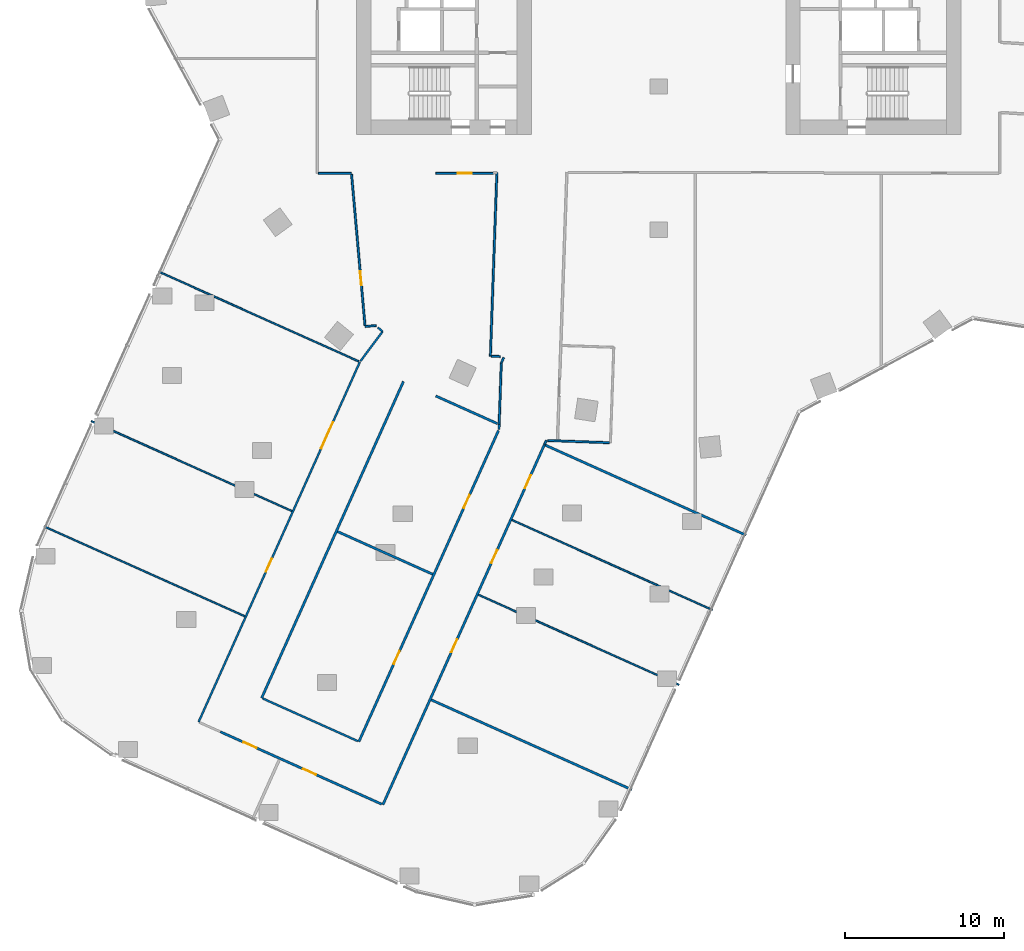
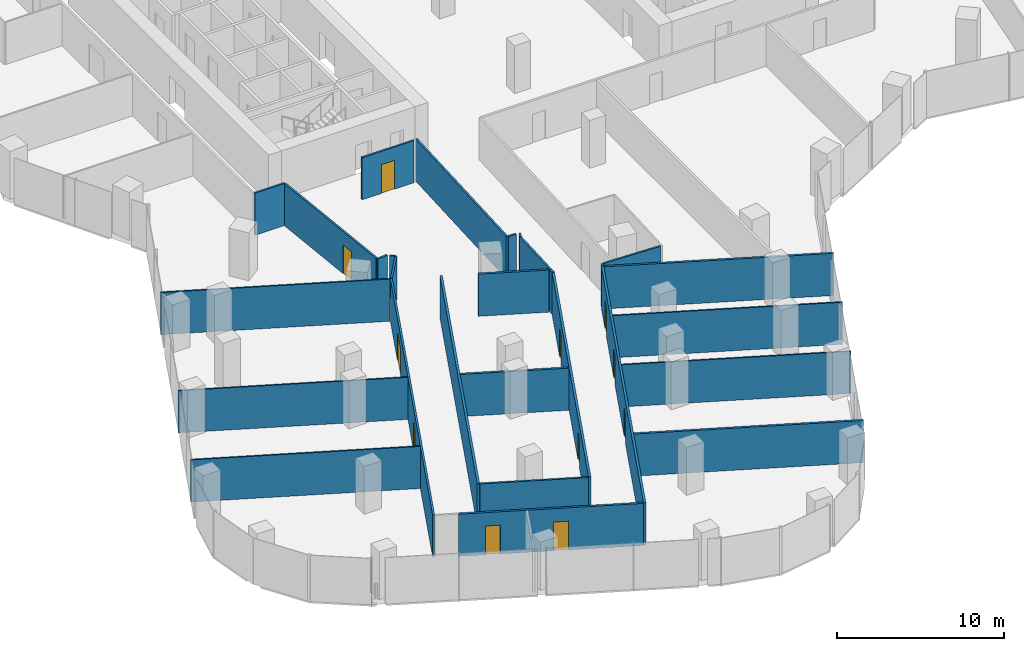
# One storey, part 25 of 34: 28 walls, 11 doors, 11 openings.
"""IFC4 building model written with IfcOpenShell, lengths in metres."""

from ifc_helpers import new_model, si_unit, direction, frame, frame_2d, origin, place, context, subcontext, project, spatial, rectangle, extrude, material, layer, layer_set, type_object, element, fill, save


model = new_model("IFC4")

# Units and contexts
model_context = context("Model", 3, precision=1e-05, world=origin(), true_north=direction((0.0, 1.0)))
body_context = subcontext(model_context, "Body", "Model", "MODEL_VIEW")
ifc_project = project(units=[si_unit("LENGTHUNIT", "METRE"), si_unit("AREAUNIT", "SQUARE_METRE"), si_unit("VOLUMEUNIT", "CUBIC_METRE"), si_unit("PLANEANGLEUNIT", "RADIAN"), si_unit("MASSUNIT", "GRAM", prefix="KILO")], contexts=[model_context])

# Site, building, storey
site_placement = place(None, origin())
site = spatial("IfcSite", under=ifc_project, at=site_placement, CompositionType="ELEMENT")
building_placement = place(site_placement, origin())
building = spatial("IfcBuilding", under=site, at=building_placement, Name="Orlundy Tower", CompositionType="ELEMENT")
storey_placement = place(building_placement, frame((0.0, 0.0, 127.199951171875)))
storey = spatial("IfcBuildingStorey", under=building, at=storey_placement, Name="L32", CompositionType="ELEMENT", Elevation=127.199951171875)

# Walls
ifc_material_1 = material(Name="Gypsum board partition")
ifc_layer_1 = layer(ifc_material_1, 0.10009765625)
ifc_layer_set_1 = layer_set([ifc_layer_1], Name="Floor partition 100")
wall_type_1 = type_object("IfcWallType", Name="Floor partition 100", PredefinedType="PARTITIONING", material=ifc_layer_set_1)
wall_1_placement = place(storey_placement, frame((-35.669921875, -30.029052734375, 0.0), z_axis=(0.0, 0.0, 1.0), x_axis=(0.912388382828, -0.409325590307, 0.0)))
element("IfcWall", 1, at=wall_1_placement, inside=storey, type_object=wall_type_1, Name="wall-int-L32-007", PredefinedType="PARTITIONING", context=body_context, shape_type="SweptSolid", body=[
    extrude(rectangle(XDim=13.827392578125, YDim=0.10009765625, at=frame_2d((6.91357421875, 0.0))), origin(), (0.0, 0.0, 1.0), 3.080078125),
])
for number, where, z_axis, x_axis, name in (
    (2, (-11.3330078125, -40.949951171875, 0.0), (0.0, 0.0, 1.0), (0.912391093054, -0.409319549149, 0.0), "wall-int-L32-009"),
    (3, (-9.222900390625, -36.248046875, 0.0), (0.0, 0.0, 1.0), (0.912391093054, -0.409319549149, 0.0), "wall-int-L32-010"),
):
    element("IfcWall", number, at=place(storey_placement, frame(where, z_axis=z_axis, x_axis=x_axis)), inside=storey, type_object=wall_type_1, Name=name, PredefinedType="PARTITIONING", context=body_context, shape_type="SweptSolid", body=[
        extrude(rectangle(XDim=13.8251953125, YDim=0.10009765625, at=frame_2d((6.91259765625, 0.0))), origin(), (0.0, 0.0, 1.0), 3.080078125),
    ])
wall_2_placement = place(storey_placement, frame((-31.449951171875, -20.625, 0.0), z_axis=(0.0, 0.0, 1.0), x_axis=(0.91235405171, -0.409402105916, 0.0)))
element("IfcWall", 4, at=wall_2_placement, inside=storey, type_object=wall_type_1, Name="wall-int-L32-011", PredefinedType="PARTITIONING", context=body_context, shape_type="SweptSolid", body=[
    extrude(rectangle(XDim=13.80810546875, YDim=0.10009765625, at=frame_2d((6.904052734375, 0.0))), origin(), (0.0, 0.0, 1.0), 3.080078125),
])
wall_3_placement = place(storey_placement, frame((-38.64111328125, -36.65087890625, 0.0), z_axis=(0.0, 0.0, 1.0), x_axis=(0.912605853038, -0.408840503132, 0.0)))
element("IfcWall", 5, at=wall_3_placement, inside=storey, type_object=wall_type_1, Name="wall-int-L32-015", PredefinedType="PARTITIONING", context=body_context, shape_type="SweptSolid", body=[
    extrude(rectangle(XDim=13.831787109375, YDim=0.10009765625, at=frame_2d((6.916015625, 0.0))), origin(), (0.0, 0.0, 1.0), 3.080078125),
])

# Wall, opening, door
ifc_material_2 = material(Name="Gypsum board partition, double layer")
ifc_layer_2 = layer(ifc_material_2, 0.125)
ifc_layer_set_2 = layer_set([ifc_layer_2], Name="Floor partition 125")
wall_type_2 = type_object("IfcWallType", Name="Floor partition 125", PredefinedType="PARTITIONING", material=ifc_layer_set_2)
wall_4_placement = place(storey_placement, frame((-18.4619140625, -24.02001953125, 0.0), z_axis=(0.0, 0.0, 1.0), x_axis=(-0.088655965606, 0.996062307169, 0.0)))
wall_4 = element("IfcWall", 6, at=wall_4_placement, inside=storey, type_object=wall_type_2, Name="wall-int-L32-001", PredefinedType="PARTITIONING", context=body_context, shape_type="SweptSolid", body=[
    extrude(rectangle(XDim=9.544677734375, YDim=0.125, at=frame_2d((4.7724609375, 0.0))), origin(), (0.0, 0.0, 1.0), 3.080078125),
])
opening_1_placement = place(wall_4_placement, frame((2.536376953125, 0.0, 0.0)))
opening_1 = element("IfcOpeningElement", 7, at=opening_1_placement, cuts=wall_4, Name="Opening 25121", PredefinedType="OPENING", context=body_context, shape_type="SweptSolid", body=[
    extrude(rectangle(XDim=0.89990234375, YDim=2.10009765625, at=frame_2d((0.449951171875, 1.050048828125))), frame((0.0, 0.072509765625, 0.0), z_axis=(0.0, -1.0, 0.0), x_axis=(1.0, 0.0, 0.0)), (0.0, 0.0, 1.0), 0.14501953125),
])
ifc_material_3 = material(Name="Timber door leaf", Category="wood")
door_type_1 = type_object("IfcDoorType", Name="Floor door single 900 FD30S", OperationType="NOTDEFINED", PredefinedType="DOOR", material=ifc_material_3)
door_1_placement = place(opening_1_placement, origin())
door_1 = element("IfcDoor", 8, at=door_1_placement, inside=storey, type_object=door_type_1, Name="Door 25121", OperationType="SINGLE_SWING_LEFT", OverallHeight=2.10009765625, OverallWidth=0.89990234375, PredefinedType="DOOR", context=body_context, shape_type="SweptSolid", body=[
    extrude(rectangle(XDim=0.89990234375, YDim=2.10009765625, at=frame_2d((0.449951171875, 1.050048828125))), frame((0.0, 0.02490234375, 0.0), z_axis=(0.0, -1.0, 0.0), x_axis=(1.0, 0.0, 0.0)), (0.0, 0.0, 1.0), 0.050048828125),
])
fill(opening_1, door_1)

# Walls
wall_5_placement = place(storey_placement, frame((-17.653076171875, -24.14892578125, 0.0), z_axis=(0.0, 0.0, 1.0), x_axis=(0.774889561174, -0.632096644496, 0.0)))
element("IfcWall", 9, at=wall_5_placement, inside=storey, type_object=wall_type_2, Name="wall-int-L32-003", PredefinedType="PARTITIONING", context=body_context, shape_type="SweptSolid", body=[
    extrude(rectangle(XDim=0.384765625, YDim=0.125, at=frame_2d((0.1923828125, 0.0))), origin(), (0.0, 0.0, 1.0), 3.080078125),
])
wall_6_placement = place(storey_placement, frame((-24.89208984375, -47.469970703125, 0.0), z_axis=(0.0, 0.0, 1.0), x_axis=(0.912446481469, -0.409196063588, 0.0)))
element("IfcWall", 10, at=wall_6_placement, inside=storey, type_object=wall_type_2, Name="wall-int-L32-006", PredefinedType="PARTITIONING", context=body_context, shape_type="SweptSolid", body=[
    extrude(rectangle(XDim=6.5517578125, YDim=0.125, at=frame_2d((3.27587890625, 0.0))), origin(), (0.0, 0.0, 1.0), 3.080078125),
])
wall_7_placement = place(storey_placement, frame((-6.968017578125, -31.2509765625, 0.0), z_axis=(0.0, 0.0, 1.0), x_axis=(0.99936470119, -0.035639781365, 0.0)))
element("IfcWall", 11, at=wall_7_placement, inside=storey, type_object=wall_type_2, Name="wall-int-L32-030", PredefinedType="PARTITIONING", context=body_context, shape_type="SweptSolid", body=[
    extrude(rectangle(XDim=3.870361328125, YDim=0.125, at=frame_2d((1.93505859375, 0.0))), origin(), (0.0, 0.0, 1.0), 3.080078125),
])
wall_8_placement = place(storey_placement, frame((-10.514892578125, -25.950927734375, 0.0), z_axis=(0.0, 0.0, 1.0), x_axis=(0.999387748514, -0.034987542363, 0.0)))
element("IfcWall", 12, at=wall_8_placement, inside=storey, type_object=wall_type_2, Name="wall-int-L32-031", PredefinedType="PARTITIONING", context=body_context, shape_type="SweptSolid", body=[
    extrude(rectangle(XDim=0.544189453125, YDim=0.125, at=frame_2d((0.27197265625, 0.0))), origin(), (0.0, 0.0, 1.0), 3.080078125),
])
wall_9_placement = place(storey_placement, frame((-21.386962890625, -14.450927734375, 0.0), z_axis=(0.0, 0.0, 1.0), x_axis=(1.0, 0.0, 0.0)))
element("IfcWall", 13, at=wall_9_placement, inside=storey, type_object=wall_type_2, Name="wall-int-L32-033", PredefinedType="PARTITIONING", context=body_context, shape_type="SweptSolid", body=[
    extrude(rectangle(XDim=2.072998046875, YDim=0.125, at=frame_2d((1.03662109375, 0.0))), origin(), (0.0, 0.0, 1.0), 3.080078125),
])

# Wall, opening, door
wall_10_placement = place(storey_placement, frame((-10.39111328125, -14.450927734375, 0.0), z_axis=(0.0, 0.0, 1.0), x_axis=(-1.0, 0.0, 0.0)))
wall_10 = element("IfcWall", 14, at=wall_10_placement, inside=storey, type_object=wall_type_2, Name="wall-int-L32-034", PredefinedType="PARTITIONING", context=body_context, shape_type="SweptSolid", body=[
    extrude(rectangle(XDim=3.60888671875, YDim=0.125, at=frame_2d((1.804443359375, 0.0))), origin(), (0.0, 0.0, 1.0), 3.080078125),
])
opening_2_placement = place(wall_10_placement, frame((1.35009765625, 0.0, 0.0)))
opening_2 = element("IfcOpeningElement", 15, at=opening_2_placement, cuts=wall_10, Name="Opening 25122", PredefinedType="OPENING", context=body_context, shape_type="SweptSolid", body=[
    extrude(rectangle(XDim=0.89990234375, YDim=2.10009765625, at=frame_2d((0.449951171875, 1.050048828125))), frame((0.0, 0.072509765625, 0.0), z_axis=(0.0, -1.0, 0.0), x_axis=(1.0, 0.0, 0.0)), (0.0, 0.0, 1.0), 0.14501953125),
])
door_2_placement = place(opening_2_placement, origin())
door_2 = element("IfcDoor", 16, at=door_2_placement, inside=storey, type_object=door_type_1, Name="Door 25122", OperationType="SINGLE_SWING_LEFT", OverallHeight=2.10009765625, OverallWidth=0.89990234375, PredefinedType="DOOR", context=body_context, shape_type="SweptSolid", body=[
    extrude(rectangle(XDim=0.89990234375, YDim=2.10009765625, at=frame_2d((0.449951171875, 1.050048828125))), frame((0.0, 0.02490234375, 0.0), z_axis=(0.0, -1.0, 0.0), x_axis=(1.0, 0.0, 0.0)), (0.0, 0.0, 1.0), 0.050048828125),
])
fill(opening_2, door_2)

# Walls
wall_11_placement = place(storey_placement, frame((-18.455078125, -24.0830078125, 0.0), z_axis=(0.0, 0.0, 1.0), x_axis=(0.996054818248, 0.088740064481, 0.0)))
element("IfcWall", 17, at=wall_11_placement, inside=storey, type_object=wall_type_2, Name="wall-int-L32-045", PredefinedType="PARTITIONING", context=body_context, shape_type="SweptSolid", body=[
    extrude(rectangle(XDim=0.69873046875, YDim=0.125, at=frame_2d((0.349365234375, 0.0))), origin(), (0.0, 0.0, 1.0), 3.080078125),
])
wall_12_placement = place(storey_placement, frame((-17.35498046875, -24.39208984375, 0.0), z_axis=(0.0, 0.0, 1.0), x_axis=(-0.597497187646, -0.801871006306, 0.0)))
element("IfcWall", 18, at=wall_12_placement, inside=storey, type_object=wall_type_2, Name="wall-int-L32-047", PredefinedType="PARTITIONING", context=body_context, shape_type="SweptSolid", body=[
    extrude(rectangle(XDim=2.328125, YDim=0.125, at=frame_2d((1.1640625, 0.0))), origin(), (0.0, 0.0, 1.0), 3.080078125),
])
wall_13_placement = place(storey_placement, frame((-9.89208984375, -26.3740234375, 0.0), z_axis=(0.0, 0.0, 1.0), x_axis=(0.415837630043, 0.909438873944, 0.0)))
element("IfcWall", 19, at=wall_13_placement, inside=storey, type_object=wall_type_2, Name="wall-int-L32-048", PredefinedType="PARTITIONING", context=body_context, shape_type="SweptSolid", body=[
    extrude(rectangle(XDim=0.370361328125, YDim=0.125, at=frame_2d((0.18505859375, 0.0))), origin(), (0.0, 0.0, 1.0), 3.080078125),
])
wall_14_placement = place(storey_placement, frame((-7.180908203125, -31.514892578125, 0.0), z_axis=(0.0, 0.0, 1.0), x_axis=(0.409774665578, 0.912186781011, 0.0)))
element("IfcWall", 20, at=wall_14_placement, inside=storey, type_object=wall_type_2, Name="wall-int-L32-050", PredefinedType="PARTITIONING", context=body_context, shape_type="SweptSolid", body=[
    extrude(rectangle(XDim=0.29248046875, YDim=0.125, at=frame_2d((0.146240234375, 0.0))), origin(), (0.0, 0.0, 1.0), 3.080078125),
])

# Wall, openings, doors
wall_15_placement = place(storey_placement, frame((-28.925048828125, -48.948974609375, 0.0), z_axis=(0.0, 0.0, 1.0), x_axis=(0.408793939156, 0.91262671192, 0.0)))
wall_15 = element("IfcWall", 21, at=wall_15_placement, inside=storey, type_object=wall_type_2, Name="wall-int-L32-055", PredefinedType="PARTITIONING", context=body_context, shape_type="SweptSolid", body=[
    extrude(rectangle(XDim=24.807373046875, YDim=0.125, at=frame_2d((12.40380859375, 0.0))), origin(), (0.0, 0.0, 1.0), 3.080078125),
])
opening_3_placement = place(wall_15_placement, frame((10.3505859375, 0.0, 0.0)))
opening_3 = element("IfcOpeningElement", 22, at=opening_3_placement, cuts=wall_15, Name="Opening 25115", PredefinedType="OPENING", context=body_context, shape_type="SweptSolid", body=[
    extrude(rectangle(XDim=0.89990234375, YDim=2.10009765625, at=frame_2d((0.449951171875, 1.050048828125))), frame((0.0, 0.072509765625, 0.0), z_axis=(0.0, -1.0, 0.0), x_axis=(1.0, 0.0, 0.0)), (0.0, 0.0, 1.0), 0.14501953125),
])
opening_4_placement = place(wall_15_placement, frame((18.85107421875, 0.0, 0.0)))
opening_4 = element("IfcOpeningElement", 23, at=opening_4_placement, cuts=wall_15, Name="Opening 25119", PredefinedType="OPENING", context=body_context, shape_type="SweptSolid", body=[
    extrude(rectangle(XDim=1.800048828125, YDim=2.10009765625, at=frame_2d((0.89990234375, 1.050048828125))), frame((0.0, 0.072509765625, 0.0), z_axis=(0.0, -1.0, 0.0), x_axis=(1.0, 0.0, 0.0)), (0.0, 0.0, 1.0), 0.14501953125),
])
ifc_material_4 = material(Name="Timber door leaf", Category="wood")
door_type_2 = type_object("IfcDoorType", Name="Floor door double 1800 FD30S", OperationType="NOTDEFINED", PredefinedType="DOOR", material=ifc_material_4)
door_3_placement = place(opening_4_placement, origin())
door_3 = element("IfcDoor", 24, at=door_3_placement, inside=storey, type_object=door_type_2, Name="Door 25119", OperationType="DOUBLE_DOOR_SINGLE_SWING", OverallHeight=2.10009765625, OverallWidth=1.800048828125, PredefinedType="DOOR", context=body_context, shape_type="SweptSolid", body=[
    extrude(rectangle(XDim=1.800048828125, YDim=2.10009765625, at=frame_2d((0.89990234375, 1.050048828125))), frame((0.0, 0.02490234375, 0.0), z_axis=(0.0, -1.0, 0.0), x_axis=(1.0, 0.0, 0.0)), (0.0, 0.0, 1.0), 0.050048828125),
])
fill(opening_4, door_3)
door_4_placement = place(opening_3_placement, origin())
door_4 = element("IfcDoor", 25, at=door_4_placement, inside=storey, type_object=door_type_1, Name="Door 25115", OperationType="SINGLE_SWING_LEFT", OverallHeight=2.10009765625, OverallWidth=0.89990234375, PredefinedType="DOOR", context=body_context, shape_type="SweptSolid", body=[
    extrude(rectangle(XDim=0.89990234375, YDim=2.10009765625, at=frame_2d((0.449951171875, 1.050048828125))), frame((0.0, 0.02490234375, 0.0), z_axis=(0.0, -1.0, 0.0), x_axis=(1.0, 0.0, 0.0)), (0.0, 0.0, 1.0), 0.050048828125),
])
fill(opening_3, door_4)

# Walls
wall_16_placement = place(storey_placement, frame((-10.028076171875, -30.238037109375, 0.0), z_axis=(0.0, 0.0, 1.0), x_axis=(0.03517125066, 0.999381300169, 0.0)))
element("IfcWall", 26, at=wall_16_placement, inside=storey, type_object=wall_type_2, Name="wall-int-L32-074", PredefinedType="PARTITIONING", context=body_context, shape_type="SweptSolid", body=[
    extrude(rectangle(XDim=3.866455078125, YDim=0.125, at=frame_2d((1.93310546875, 0.0))), origin(), (0.0, 0.0, 1.0), 3.080078125),
])
wall_17_placement = place(storey_placement, frame((-10.577880859375, -25.947998046875, 0.0), z_axis=(0.0, 0.0, 1.0), x_axis=(0.035223493249, 0.999379460227, 0.0)))
element("IfcWall", 27, at=wall_17_placement, inside=storey, type_object=wall_type_2, Name="wall-int-L32-076", PredefinedType="PARTITIONING", context=body_context, shape_type="SweptSolid", body=[
    extrude(rectangle(XDim=11.55419921875, YDim=0.125, at=frame_2d((5.777099609375, 0.0))), origin(), (0.0, 0.0, 1.0), 3.080078125),
])

# Wall, openings, doors
ifc_material_5 = material(Name="Blockwork shaft wall", Category="masonry")
ifc_layer_3 = layer(ifc_material_5, 0.14990234375)
ifc_layer_set_3 = layer_set([ifc_layer_3], Name="Floor shaft wall 150")
wall_type_3 = type_object("IfcWallType", Name="Floor shaft wall 150", PredefinedType="PARTITIONING", material=ifc_layer_set_3)
wall_18_placement = place(storey_placement, frame((-17.412109375, -54.115966796875, 0.0), z_axis=(0.0, 0.0, 1.0), x_axis=(-0.912315908863, 0.409487096787, 0.0)))
wall_18 = element("IfcWall", 28, at=wall_18_placement, inside=storey, type_object=wall_type_3, Name="wall-int-L32-005", PredefinedType="PARTITIONING", context=body_context, shape_type="SweptSolid", body=[
    extrude(rectangle(XDim=11.11865234375, YDim=0.14990234375, at=frame_2d((5.559326171875, 0.0))), origin(), (0.0, 0.0, 1.0), 3.080078125),
])
opening_5_placement = place(wall_18_placement, frame((8.6181640625, 0.0, 0.0)))
opening_5 = element("IfcOpeningElement", 29, at=opening_5_placement, cuts=wall_18, Name="Opening 25117", PredefinedType="OPENING", context=body_context, shape_type="SweptSolid", body=[
    extrude(rectangle(XDim=0.89990234375, YDim=2.10009765625, at=frame_2d((0.449951171875, 1.050048828125))), frame((0.0, 0.0849609375, 0.0), z_axis=(0.0, -1.0, 0.0), x_axis=(1.0, 0.0, 0.0)), (0.0, 0.0, 1.0), 0.169921875),
])
opening_6_placement = place(wall_18_placement, frame((4.51806640625, 0.0, 0.0)))
opening_6 = element("IfcOpeningElement", 30, at=opening_6_placement, cuts=wall_18, Name="Opening 25118", PredefinedType="OPENING", context=body_context, shape_type="SweptSolid", body=[
    extrude(rectangle(XDim=0.89990234375, YDim=2.10009765625, at=frame_2d((0.449951171875, 1.050048828125))), frame((0.0, 0.0849609375, 0.0), z_axis=(0.0, -1.0, 0.0), x_axis=(1.0, 0.0, 0.0)), (0.0, 0.0, 1.0), 0.169921875),
])
ifc_material_6 = material(Name="Timber door leaf", Category="wood")
door_type_3 = type_object("IfcDoorType", Name="Floor door single 900 FD60", OperationType="NOTDEFINED", PredefinedType="DOOR", material=ifc_material_6)
door_5_placement = place(opening_5_placement, origin())
door_5 = element("IfcDoor", 31, at=door_5_placement, inside=storey, type_object=door_type_3, Name="Door 25117", OperationType="SINGLE_SWING_RIGHT", OverallHeight=2.10009765625, OverallWidth=0.89990234375, PredefinedType="DOOR", context=body_context, shape_type="SweptSolid", body=[
    extrude(rectangle(XDim=0.89990234375, YDim=2.10009765625, at=frame_2d((0.449951171875, 1.050048828125))), frame((0.0, 0.02490234375, 0.0), z_axis=(0.0, -1.0, 0.0), x_axis=(1.0, 0.0, 0.0)), (0.0, 0.0, 1.0), 0.050048828125),
])
fill(opening_5, door_5)
door_6_placement = place(opening_6_placement, origin())
door_6 = element("IfcDoor", 32, at=door_6_placement, inside=storey, type_object=door_type_3, Name="Door 25118", OperationType="SINGLE_SWING_LEFT", OverallHeight=2.10009765625, OverallWidth=0.89990234375, PredefinedType="DOOR", context=body_context, shape_type="SweptSolid", body=[
    extrude(rectangle(XDim=0.89990234375, YDim=2.10009765625, at=frame_2d((0.449951171875, 1.050048828125))), frame((0.0, 0.02490234375, 0.0), z_axis=(0.0, -1.0, 0.0), x_axis=(1.0, 0.0, 0.0)), (0.0, 0.0, 1.0), 0.050048828125),
])
fill(opening_6, door_6)

# Walls
wall_19_placement = place(storey_placement, frame((-20.19091796875, -36.97509765625, 0.0), z_axis=(0.0, 0.0, 1.0), x_axis=(0.912454220663, -0.409178805896, 0.0)))
element("IfcWall", 33, at=wall_19_placement, inside=storey, type_object=wall_type_3, Name="wall-int-L32-008", PredefinedType="PARTITIONING", context=body_context, shape_type="SweptSolid", body=[
    extrude(rectangle(XDim=6.55908203125, YDim=0.14990234375, at=frame_2d((3.279541015625, 0.0))), origin(), (0.0, 0.0, 1.0), 3.080078125),
])
wall_20_placement = place(storey_placement, frame((-14.014892578125, -28.448974609375, 0.0), z_axis=(0.0, 0.0, 1.0), x_axis=(0.912389731209, -0.409322584748, 0.0)))
element("IfcWall", 34, at=wall_20_placement, inside=storey, type_object=wall_type_3, Name="wall-int-L32-012", PredefinedType="PARTITIONING", context=body_context, shape_type="SweptSolid", body=[
    extrude(rectangle(XDim=4.258056640625, YDim=0.14990234375, at=frame_2d((2.12890625, 0.0))), origin(), (0.0, 0.0, 1.0), 3.080078125),
])
wall_21_placement = place(storey_placement, frame((-7.113037109375, -31.5458984375, 0.0), z_axis=(0.0, 0.0, 1.0), x_axis=(0.912346277005, -0.409419431432, 0.0)))
element("IfcWall", 35, at=wall_21_placement, inside=storey, type_object=wall_type_3, Name="wall-int-L32-013", PredefinedType="PARTITIONING", context=body_context, shape_type="SweptSolid", body=[
    extrude(rectangle(XDim=13.824951171875, YDim=0.14990234375, at=frame_2d((6.91259765625, 0.0))), origin(), (0.0, 0.0, 1.0), 3.080078125),
])
wall_22_placement = place(storey_placement, frame((-14.298095703125, -47.556884765625, 0.0), z_axis=(0.0, 0.0, 1.0), x_axis=(0.912614076789, -0.408822145738, 0.0)))
element("IfcWall", 36, at=wall_22_placement, inside=storey, type_object=wall_type_3, Name="wall-int-L32-016", PredefinedType="PARTITIONING", context=body_context, shape_type="SweptSolid", body=[
    extrude(rectangle(XDim=13.825439453125, YDim=0.14990234375, at=frame_2d((6.91259765625, 0.0))), origin(), (0.0, 0.0, 1.0), 3.080078125),
])

# Wall, openings, doors
wall_23_placement = place(storey_placement, frame((-7.181884765625, -31.513916015625, 0.0), z_axis=(0.0, 0.0, 1.0), x_axis=(-0.409349192906, -0.912377793607, 0.0)))
wall_23 = element("IfcWall", 37, at=wall_23_placement, inside=storey, type_object=wall_type_3, Name="wall-int-L32-051", PredefinedType="PARTITIONING", context=body_context, shape_type="SweptSolid", body=[
    extrude(rectangle(XDim=24.807861328125, YDim=0.14990234375, at=frame_2d((12.40380859375, 0.0))), origin(), (0.0, 0.0, 1.0), 3.080078125),
])
opening_7_placement = place(wall_23_placement, frame((2.1005859375, 0.0, 0.0)))
opening_7 = element("IfcOpeningElement", 38, at=opening_7_placement, cuts=wall_23, Name="Opening 25111", PredefinedType="OPENING", context=body_context, shape_type="SweptSolid", body=[
    extrude(rectangle(XDim=0.89990234375, YDim=2.10009765625, at=frame_2d((0.449951171875, 1.050048828125))), frame((0.0, 0.0849609375, 0.0), z_axis=(0.0, -1.0, 0.0), x_axis=(1.0, 0.0, 0.0)), (0.0, 0.0, 1.0), 0.169921875),
])
opening_8_placement = place(wall_23_placement, frame((7.254150390625, 0.0, 0.0)))
opening_8 = element("IfcOpeningElement", 39, at=opening_8_placement, cuts=wall_23, Name="Opening 25112", PredefinedType="OPENING", context=body_context, shape_type="SweptSolid", body=[
    extrude(rectangle(XDim=0.89990234375, YDim=2.10009765625, at=frame_2d((0.449951171875, 1.050048828125))), frame((0.0, 0.0849609375, 0.0), z_axis=(0.0, -1.0, 0.0), x_axis=(1.0, 0.0, 0.0)), (0.0, 0.0, 1.0), 0.169921875),
])
opening_9_placement = place(wall_23_placement, frame((13.407958984375, 0.0, 0.0)))
opening_9 = element("IfcOpeningElement", 40, at=opening_9_placement, cuts=wall_23, Name="Opening 25114", PredefinedType="OPENING", context=body_context, shape_type="SweptSolid", body=[
    extrude(rectangle(XDim=0.89990234375, YDim=2.10009765625, at=frame_2d((0.449951171875, 1.050048828125))), frame((0.0, 0.0849609375, 0.0), z_axis=(0.0, -1.0, 0.0), x_axis=(1.0, 0.0, 0.0)), (0.0, 0.0, 1.0), 0.169921875),
])
door_7_placement = place(opening_7_placement, origin())
door_7 = element("IfcDoor", 41, at=door_7_placement, inside=storey, type_object=door_type_3, Name="Door 25111", OperationType="SINGLE_SWING_LEFT", OverallHeight=2.10009765625, OverallWidth=0.89990234375, PredefinedType="DOOR", context=body_context, shape_type="SweptSolid", body=[
    extrude(rectangle(XDim=0.89990234375, YDim=2.10009765625, at=frame_2d((0.449951171875, 1.050048828125))), frame((0.0, 0.02490234375, 0.0), z_axis=(0.0, -1.0, 0.0), x_axis=(1.0, 0.0, 0.0)), (0.0, 0.0, 1.0), 0.050048828125),
])
fill(opening_7, door_7)
door_8_placement = place(opening_8_placement, origin())
door_8 = element("IfcDoor", 42, at=door_8_placement, inside=storey, type_object=door_type_3, Name="Door 25112", OperationType="SINGLE_SWING_LEFT", OverallHeight=2.10009765625, OverallWidth=0.89990234375, PredefinedType="DOOR", context=body_context, shape_type="SweptSolid", body=[
    extrude(rectangle(XDim=0.89990234375, YDim=2.10009765625, at=frame_2d((0.449951171875, 1.050048828125))), frame((0.0, 0.02490234375, 0.0), z_axis=(0.0, -1.0, 0.0), x_axis=(1.0, 0.0, 0.0)), (0.0, 0.0, 1.0), 0.050048828125),
])
fill(opening_8, door_8)
door_9_placement = place(opening_9_placement, origin())
door_9 = element("IfcDoor", 43, at=door_9_placement, inside=storey, type_object=door_type_3, Name="Door 25114", OperationType="SINGLE_SWING_RIGHT", OverallHeight=2.10009765625, OverallWidth=0.89990234375, PredefinedType="DOOR", context=body_context, shape_type="SweptSolid", body=[
    extrude(rectangle(XDim=0.89990234375, YDim=2.10009765625, at=frame_2d((0.449951171875, 1.050048828125))), frame((0.0, 0.02490234375, 0.0), z_axis=(0.0, -1.0, 0.0), x_axis=(1.0, 0.0, 0.0)), (0.0, 0.0, 1.0), 0.050048828125),
])
fill(opening_9, door_9)

wall_24_placement = place(storey_placement, frame((-18.845947265625, -50.181884765625, 0.0), z_axis=(0.0, 0.0, 1.0), x_axis=(0.409371431607, 0.912367815622, 0.0)))
wall_24 = element("IfcWall", 44, at=wall_24_placement, inside=storey, type_object=wall_type_3, Name="wall-int-L32-052", PredefinedType="PARTITIONING", context=body_context, shape_type="SweptSolid", body=[
    extrude(rectangle(XDim=21.4375, YDim=0.14990234375, at=frame_2d((10.71875, 0.0))), origin(), (0.0, 0.0, 1.0), 3.080078125),
])
opening_10_placement = place(wall_24_placement, frame((16.099853515625, 0.0, 0.0)))
opening_10 = element("IfcOpeningElement", 45, at=opening_10_placement, cuts=wall_24, Name="Opening 25113", PredefinedType="OPENING", context=body_context, shape_type="SweptSolid", body=[
    extrude(rectangle(XDim=0.89990234375, YDim=2.10009765625, at=frame_2d((0.449951171875, 1.050048828125))), frame((0.0, 0.0849609375, 0.0), z_axis=(0.0, -1.0, 0.0), x_axis=(1.0, 0.0, 0.0)), (0.0, 0.0, 1.0), 0.169921875),
])
opening_11_placement = place(wall_24_placement, frame((5.35009765625, 0.0, 0.0)))
opening_11 = element("IfcOpeningElement", 46, at=opening_11_placement, cuts=wall_24, Name="Opening 25116", PredefinedType="OPENING", context=body_context, shape_type="SweptSolid", body=[
    extrude(rectangle(XDim=0.89990234375, YDim=2.10009765625, at=frame_2d((0.449951171875, 1.050048828125))), frame((0.0, 0.0849609375, 0.0), z_axis=(0.0, -1.0, 0.0), x_axis=(1.0, 0.0, 0.0)), (0.0, 0.0, 1.0), 0.169921875),
])
door_10_placement = place(opening_10_placement, origin())
door_10 = element("IfcDoor", 47, at=door_10_placement, inside=storey, type_object=door_type_3, Name="Door 25113", OperationType="SINGLE_SWING_RIGHT", OverallHeight=2.10009765625, OverallWidth=0.89990234375, PredefinedType="DOOR", context=body_context, shape_type="SweptSolid", body=[
    extrude(rectangle(XDim=0.89990234375, YDim=2.10009765625, at=frame_2d((0.449951171875, 1.050048828125))), frame((0.0, 0.02490234375, 0.0), z_axis=(0.0, -1.0, 0.0), x_axis=(1.0, 0.0, 0.0)), (0.0, 0.0, 1.0), 0.050048828125),
])
fill(opening_10, door_10)
door_11_placement = place(opening_11_placement, origin())
door_11 = element("IfcDoor", 48, at=door_11_placement, inside=storey, type_object=door_type_3, Name="Door 25116", OperationType="SINGLE_SWING_LEFT", OverallHeight=2.10009765625, OverallWidth=0.89990234375, PredefinedType="DOOR", context=body_context, shape_type="SweptSolid", body=[
    extrude(rectangle(XDim=0.89990234375, YDim=2.10009765625, at=frame_2d((0.449951171875, 1.050048828125))), frame((0.0, 0.02490234375, 0.0), z_axis=(0.0, -1.0, 0.0), x_axis=(1.0, 0.0, 0.0)), (0.0, 0.0, 1.0), 0.050048828125),
])
fill(opening_11, door_11)

# Walls
wall_25_placement = place(storey_placement, frame((-24.9599609375, -47.43896484375, 0.0), z_axis=(0.0, 0.0, 1.0), x_axis=(0.408787781409, 0.912629470141, 0.0)))
element("IfcWall", 49, at=wall_25_placement, inside=storey, type_object=wall_type_3, Name="wall-int-L32-054", PredefinedType="PARTITIONING", context=body_context, shape_type="SweptSolid", body=[
    extrude(rectangle(XDim=21.80615234375, YDim=0.14990234375, at=frame_2d((10.903076171875, 0.0))), origin(), (0.0, 0.0, 1.0), 3.080078125),
])
wall_26_placement = place(storey_placement, frame((-10.0390625, -30.554931640625, 0.0), z_axis=(0.0, 0.0, 1.0), x_axis=(0.034647905353, 0.999399581076, 0.0)))
element("IfcWall", 50, at=wall_26_placement, inside=storey, type_object=wall_type_3, Name="wall-int-L32-075", PredefinedType="PARTITIONING", context=body_context, shape_type="SweptSolid", body=[
    extrude(rectangle(XDim=0.317138671875, YDim=0.14990234375, at=frame_2d((0.15869140625, 0.0))), origin(), (0.0, 0.0, 1.0), 3.080078125),
])

save(model, "model.ifc")
